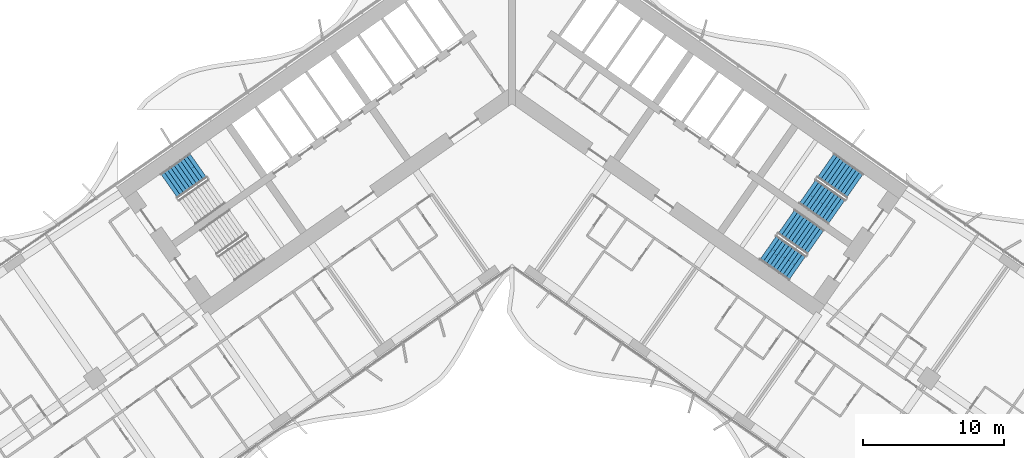
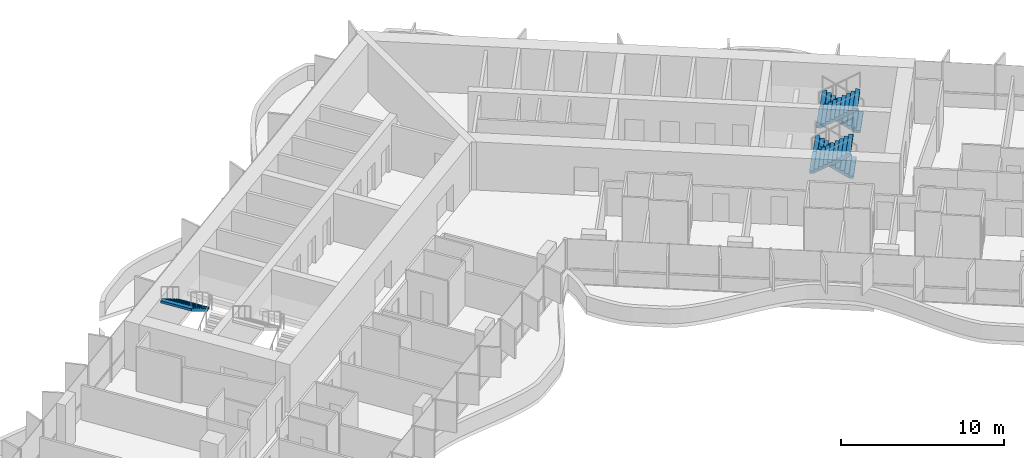
# One storey, part 19 of 25: 5 stair flights, 3 elements without a shape of their own.
"""IFC4 building model written with IfcOpenShell, lengths in metres."""

from ifc_helpers import new_model, si_unit, direction, frame, origin, place, context, subcontext, project, spatial, polyline, outline, extrude, material, type_object, element, aggregate, save


model = new_model("IFC4")

# Units and contexts
model_context = context("Model", 3, precision=1e-05, world=origin(), true_north=direction((0.0, 1.0)))
body_context = subcontext(model_context, "Body", "Model", "MODEL_VIEW")
ifc_project = project(units=[si_unit("LENGTHUNIT", "METRE"), si_unit("AREAUNIT", "SQUARE_METRE"), si_unit("VOLUMEUNIT", "CUBIC_METRE"), si_unit("PLANEANGLEUNIT", "RADIAN"), si_unit("MASSUNIT", "GRAM", prefix="KILO")], contexts=[model_context])

# Site, building, storey
site_placement = place(None, origin())
site = spatial("IfcSite", under=ifc_project, at=site_placement, CompositionType="ELEMENT")
building_placement = place(site_placement, origin())
building = spatial("IfcBuilding", under=site, at=building_placement, Name="Tel Ilan Convention Tower", CompositionType="ELEMENT")
storey_placement = place(building_placement, frame((0.0, 0.0, 58.10009765625)))
storey = spatial("IfcBuildingStorey", under=building, at=storey_placement, Name="L09", CompositionType="ELEMENT", Elevation=58.10009765625)

# Stair, stair flight
ifc_material_1 = material(Name="Concrete C40/50", Category="concrete")
stair_type = type_object("IfcStairType", Name="Pressurised Exit Stair 20 risers 180 mm", PredefinedType="HALF_TURN_STAIR", material=ifc_material_1)
stair_1_placement = place(storey_placement, origin())
stair_1 = element("IfcStair", 1, at=stair_1_placement, inside=storey, type_object=stair_type, Name="L09 Pressurised Stair S1", PredefinedType="HALF_TURN_STAIR")
ifc_material_2 = material(Name="Precast Concrete C40/50", Category="concrete")
stair_flight_type = type_object("IfcStairFlightType", Name="Concrete Stair Flight 2100 mm 20 risers 180 mm", PredefinedType="STRAIGHT", material=ifc_material_2)
stair_flight_1_placement = place(storey_placement, frame((-22.188232421875, -5.5869140625, 1.7998046875), z_axis=(0.0, 0.0, 1.0), x_axis=(-0.819152044289, -0.573576436351, 0.0)))
stair_flight_1 = element("IfcStairFlight", 2, at=stair_flight_1_placement, type_object=stair_flight_type, Name="S1 flight 2", NumberOfRisers=10, NumberOfTreads=9, PredefinedType="STRAIGHT", RiserHeight=0.18, TreadLength=0.28, context=body_context, shape_type="SweptSolid", body=[
    extrude(outline(polyline([(0.0, 0.0), (0.0, 0.179931640625), (0.280029296875, 0.179931640625), (0.280029296875, 0.360107421875), (0.56005859375, 0.360107421875), (0.56005859375, 0.5400390625), (0.840087890625, 0.5400390625), (0.840087890625, 0.719970703125), (1.1201171875, 0.719970703125), (1.1201171875, 0.89990234375), (1.39990234375, 0.89990234375), (1.39990234375, 1.080078125), (1.679931640625, 1.080078125), (1.679931640625, 1.260009765625), (1.9599609375, 1.260009765625), (1.9599609375, 1.43994140625), (2.239990234375, 1.43994140625), (2.239990234375, 1.6201171875), (2.52001953125, 1.6201171875), (2.52001953125, 1.800048828125), (2.52001953125, 1.44189453125), (0.277099609375, 0.0), (0.0, 0.0)])), frame((0.0, -0.100341796875, 0.0), z_axis=(0.0, -1.0, 0.0), x_axis=(1.0, 0.0, 0.0)), (0.0, 0.0, 1.0), 0.94970703125),
    extrude(outline(polyline([(0.0, 0.0), (0.0, 0.179931640625), (0.280029296875, 0.179931640625), (0.280029296875, 0.360107421875), (0.56005859375, 0.360107421875), (0.56005859375, 0.5400390625), (0.840087890625, 0.5400390625), (0.840087890625, 0.719970703125), (1.1201171875, 0.719970703125), (1.1201171875, 0.89990234375), (1.39990234375, 0.89990234375), (1.39990234375, 1.080078125), (1.679931640625, 1.080078125), (1.679931640625, 1.260009765625), (1.9599609375, 1.260009765625), (1.9599609375, 1.43994140625), (2.239990234375, 1.43994140625), (2.239990234375, 1.6201171875), (2.52001953125, 1.6201171875), (2.52001953125, 1.800048828125), (2.52001953125, 1.44189453125), (0.277099609375, 0.0), (0.0, 0.0)])), frame((0.0, -0.000244140625, 0.0), z_axis=(0.0, -1.0, 0.0), x_axis=(1.0, 0.0, 0.0)), (0.0, 0.0, 1.0), 0.099609375),
    extrude(outline(polyline([(0.0, 0.0), (0.0, 0.179931640625), (0.280029296875, 0.179931640625), (0.280029296875, 0.360107421875), (0.56005859375, 0.360107421875), (0.56005859375, 0.5400390625), (0.840087890625, 0.5400390625), (0.840087890625, 0.719970703125), (1.1201171875, 0.719970703125), (1.1201171875, 0.89990234375), (1.39990234375, 0.89990234375), (1.39990234375, 1.080078125), (1.679931640625, 1.080078125), (1.679931640625, 1.260009765625), (1.9599609375, 1.260009765625), (1.9599609375, 1.43994140625), (2.239990234375, 1.43994140625), (2.239990234375, 1.6201171875), (2.52001953125, 1.6201171875), (2.52001953125, 1.800048828125), (2.52001953125, 1.44189453125), (0.277099609375, 0.0), (0.0, 0.0)])), frame((0.0, 0.099853515625, 0.0), z_axis=(0.0, -1.0, 0.0), x_axis=(1.0, 0.0, 0.0)), (0.0, 0.0, 1.0), 0.099609375),
    extrude(outline(polyline([(0.0, 0.0), (0.0, 0.179931640625), (0.280029296875, 0.179931640625), (0.280029296875, 0.360107421875), (0.56005859375, 0.360107421875), (0.56005859375, 0.5400390625), (0.840087890625, 0.5400390625), (0.840087890625, 0.719970703125), (1.1201171875, 0.719970703125), (1.1201171875, 0.89990234375), (1.39990234375, 0.89990234375), (1.39990234375, 1.080078125), (1.679931640625, 1.080078125), (1.679931640625, 1.260009765625), (1.9599609375, 1.260009765625), (1.9599609375, 1.43994140625), (2.239990234375, 1.43994140625), (2.239990234375, 1.6201171875), (2.52001953125, 1.6201171875), (2.52001953125, 1.800048828125), (2.52001953125, 1.44189453125), (0.277099609375, 0.0), (0.0, 0.0)])), frame((0.0, 1.050048828125, 0.0), z_axis=(0.0, -1.0, 0.0), x_axis=(1.0, 0.0, 0.0)), (0.0, 0.0, 1.0), 0.94970703125),
])
aggregate(stair_1, [stair_flight_1])

# Stair, stair flights
stair_2_placement = place(storey_placement, origin())
stair_2 = element("IfcStair", 3, at=stair_2_placement, inside=storey, type_object=stair_type, Name="L09 Pressurised Stair S3", PredefinedType="HALF_TURN_STAIR")
stair_flight_2_placement = place(storey_placement, frame((24.25244140625, -7.032470703125, 0.0), z_axis=(0.0, 0.0, 1.0), x_axis=(-0.819152044289, 0.573576436351, 0.0)))
stair_flight_2 = element("IfcStairFlight", 4, at=stair_flight_2_placement, type_object=stair_flight_type, Name="S3 flight 1", NumberOfRisers=10, NumberOfTreads=9, PredefinedType="STRAIGHT", RiserHeight=0.18, TreadLength=0.28, context=body_context, shape_type="SweptSolid", body=[
    extrude(outline(polyline([(0.0, 0.0), (0.0, 0.179931640625), (0.280029296875, 0.179931640625), (0.280029296875, 0.360107421875), (0.56005859375, 0.360107421875), (0.56005859375, 0.5400390625), (0.840087890625, 0.5400390625), (0.840087890625, 0.719970703125), (1.1201171875, 0.719970703125), (1.1201171875, 0.89990234375), (1.39990234375, 0.89990234375), (1.39990234375, 1.080078125), (1.679931640625, 1.080078125), (1.679931640625, 1.260009765625), (1.9599609375, 1.260009765625), (1.9599609375, 1.43994140625), (2.239990234375, 1.43994140625), (2.239990234375, 1.6201171875), (2.52001953125, 1.6201171875), (2.52001953125, 1.800048828125), (2.52001953125, 1.44189453125), (0.277099609375, 0.0), (0.0, 0.0)])), frame((0.0, -0.100341796875, 0.0), z_axis=(0.0, -1.0, 0.0), x_axis=(1.0, 0.0, 0.0)), (0.0, 0.0, 1.0), 0.94970703125),
    extrude(outline(polyline([(0.0, 0.0), (0.0, 0.179931640625), (0.280029296875, 0.179931640625), (0.280029296875, 0.360107421875), (0.56005859375, 0.360107421875), (0.56005859375, 0.5400390625), (0.840087890625, 0.5400390625), (0.840087890625, 0.719970703125), (1.1201171875, 0.719970703125), (1.1201171875, 0.89990234375), (1.39990234375, 0.89990234375), (1.39990234375, 1.080078125), (1.679931640625, 1.080078125), (1.679931640625, 1.260009765625), (1.9599609375, 1.260009765625), (1.9599609375, 1.43994140625), (2.239990234375, 1.43994140625), (2.239990234375, 1.6201171875), (2.52001953125, 1.6201171875), (2.52001953125, 1.800048828125), (2.52001953125, 1.44189453125), (0.277099609375, 0.0), (0.0, 0.0)])), frame((0.0, -0.000244140625, 0.0), z_axis=(0.0, -1.0, 0.0), x_axis=(1.0, 0.0, 0.0)), (0.0, 0.0, 1.0), 0.099609375),
    extrude(outline(polyline([(0.0, 0.0), (0.0, 0.179931640625), (0.280029296875, 0.179931640625), (0.280029296875, 0.360107421875), (0.56005859375, 0.360107421875), (0.56005859375, 0.5400390625), (0.840087890625, 0.5400390625), (0.840087890625, 0.719970703125), (1.1201171875, 0.719970703125), (1.1201171875, 0.89990234375), (1.39990234375, 0.89990234375), (1.39990234375, 1.080078125), (1.679931640625, 1.080078125), (1.679931640625, 1.260009765625), (1.9599609375, 1.260009765625), (1.9599609375, 1.43994140625), (2.239990234375, 1.43994140625), (2.239990234375, 1.6201171875), (2.52001953125, 1.6201171875), (2.52001953125, 1.800048828125), (2.52001953125, 1.44189453125), (0.277099609375, 0.0), (0.0, 0.0)])), frame((0.0, 0.099853515625, 0.0), z_axis=(0.0, -1.0, 0.0), x_axis=(1.0, 0.0, 0.0)), (0.0, 0.0, 1.0), 0.099609375),
    extrude(outline(polyline([(0.0, 0.0), (0.0, 0.179931640625), (0.280029296875, 0.179931640625), (0.280029296875, 0.360107421875), (0.56005859375, 0.360107421875), (0.56005859375, 0.5400390625), (0.840087890625, 0.5400390625), (0.840087890625, 0.719970703125), (1.1201171875, 0.719970703125), (1.1201171875, 0.89990234375), (1.39990234375, 0.89990234375), (1.39990234375, 1.080078125), (1.679931640625, 1.080078125), (1.679931640625, 1.260009765625), (1.9599609375, 1.260009765625), (1.9599609375, 1.43994140625), (2.239990234375, 1.43994140625), (2.239990234375, 1.6201171875), (2.52001953125, 1.6201171875), (2.52001953125, 1.800048828125), (2.52001953125, 1.44189453125), (0.277099609375, 0.0), (0.0, 0.0)])), frame((0.0, 1.050048828125, 0.0), z_axis=(0.0, -1.0, 0.0), x_axis=(1.0, 0.0, 0.0)), (0.0, 0.0, 1.0), 0.94970703125),
])
stair_flight_3_placement = place(storey_placement, frame((20.8974609375, -7.43017578125, 1.7998046875), z_axis=(0.0, 0.0, 1.0), x_axis=(0.819152044289, -0.573576436351, 0.0)))
stair_flight_3 = element("IfcStairFlight", 5, at=stair_flight_3_placement, type_object=stair_flight_type, Name="S3 flight 2", NumberOfRisers=10, NumberOfTreads=9, PredefinedType="STRAIGHT", RiserHeight=0.18, TreadLength=0.28, context=body_context, shape_type="SweptSolid", body=[
    extrude(outline(polyline([(0.0, 0.0), (0.0, 0.179931640625), (0.280029296875, 0.179931640625), (0.280029296875, 0.360107421875), (0.56005859375, 0.360107421875), (0.56005859375, 0.5400390625), (0.840087890625, 0.5400390625), (0.840087890625, 0.719970703125), (1.1201171875, 0.719970703125), (1.1201171875, 0.89990234375), (1.39990234375, 0.89990234375), (1.39990234375, 1.080078125), (1.679931640625, 1.080078125), (1.679931640625, 1.260009765625), (1.9599609375, 1.260009765625), (1.9599609375, 1.43994140625), (2.239990234375, 1.43994140625), (2.239990234375, 1.6201171875), (2.52001953125, 1.6201171875), (2.52001953125, 1.800048828125), (2.52001953125, 1.44189453125), (0.277099609375, 0.0), (0.0, 0.0)])), frame((0.0, -0.100341796875, 0.0), z_axis=(0.0, -1.0, 0.0), x_axis=(1.0, 0.0, 0.0)), (0.0, 0.0, 1.0), 0.94970703125),
    extrude(outline(polyline([(0.0, 0.0), (0.0, 0.179931640625), (0.280029296875, 0.179931640625), (0.280029296875, 0.360107421875), (0.56005859375, 0.360107421875), (0.56005859375, 0.5400390625), (0.840087890625, 0.5400390625), (0.840087890625, 0.719970703125), (1.1201171875, 0.719970703125), (1.1201171875, 0.89990234375), (1.39990234375, 0.89990234375), (1.39990234375, 1.080078125), (1.679931640625, 1.080078125), (1.679931640625, 1.260009765625), (1.9599609375, 1.260009765625), (1.9599609375, 1.43994140625), (2.239990234375, 1.43994140625), (2.239990234375, 1.6201171875), (2.52001953125, 1.6201171875), (2.52001953125, 1.800048828125), (2.52001953125, 1.44189453125), (0.277099609375, 0.0), (0.0, 0.0)])), frame((0.0, -0.000244140625, 0.0), z_axis=(0.0, -1.0, 0.0), x_axis=(1.0, 0.0, 0.0)), (0.0, 0.0, 1.0), 0.099609375),
    extrude(outline(polyline([(0.0, 0.0), (0.0, 0.179931640625), (0.280029296875, 0.179931640625), (0.280029296875, 0.360107421875), (0.56005859375, 0.360107421875), (0.56005859375, 0.5400390625), (0.840087890625, 0.5400390625), (0.840087890625, 0.719970703125), (1.1201171875, 0.719970703125), (1.1201171875, 0.89990234375), (1.39990234375, 0.89990234375), (1.39990234375, 1.080078125), (1.679931640625, 1.080078125), (1.679931640625, 1.260009765625), (1.9599609375, 1.260009765625), (1.9599609375, 1.43994140625), (2.239990234375, 1.43994140625), (2.239990234375, 1.6201171875), (2.52001953125, 1.6201171875), (2.52001953125, 1.800048828125), (2.52001953125, 1.44189453125), (0.277099609375, 0.0), (0.0, 0.0)])), frame((0.0, 0.099853515625, 0.0), z_axis=(0.0, -1.0, 0.0), x_axis=(1.0, 0.0, 0.0)), (0.0, 0.0, 1.0), 0.099609375),
    extrude(outline(polyline([(0.0, 0.0), (0.0, 0.179931640625), (0.280029296875, 0.179931640625), (0.280029296875, 0.360107421875), (0.56005859375, 0.360107421875), (0.56005859375, 0.5400390625), (0.840087890625, 0.5400390625), (0.840087890625, 0.719970703125), (1.1201171875, 0.719970703125), (1.1201171875, 0.89990234375), (1.39990234375, 0.89990234375), (1.39990234375, 1.080078125), (1.679931640625, 1.080078125), (1.679931640625, 1.260009765625), (1.9599609375, 1.260009765625), (1.9599609375, 1.43994140625), (2.239990234375, 1.43994140625), (2.239990234375, 1.6201171875), (2.52001953125, 1.6201171875), (2.52001953125, 1.800048828125), (2.52001953125, 1.44189453125), (0.277099609375, 0.0), (0.0, 0.0)])), frame((0.0, 1.050048828125, 0.0), z_axis=(0.0, -1.0, 0.0), x_axis=(1.0, 0.0, 0.0)), (0.0, 0.0, 1.0), 0.94970703125),
])
aggregate(stair_2, [stair_flight_2, stair_flight_3])

stair_3_placement = place(storey_placement, origin())
stair_3 = element("IfcStair", 6, at=stair_3_placement, inside=storey, type_object=stair_type, Name="L09 Pressurised Stair S4", PredefinedType="HALF_TURN_STAIR")
stair_flight_4_placement = place(storey_placement, frame((21.470458984375, -11.00537109375, 0.0), z_axis=(0.0, 0.0, 1.0), x_axis=(-0.819152044289, 0.573576436351, 0.0)))
stair_flight_4 = element("IfcStairFlight", 7, at=stair_flight_4_placement, type_object=stair_flight_type, Name="S4 flight 1", NumberOfRisers=10, NumberOfTreads=9, PredefinedType="STRAIGHT", RiserHeight=0.18, TreadLength=0.28, context=body_context, shape_type="SweptSolid", body=[
    extrude(outline(polyline([(0.0, 0.0), (0.0, 0.179931640625), (0.280029296875, 0.179931640625), (0.280029296875, 0.360107421875), (0.56005859375, 0.360107421875), (0.56005859375, 0.5400390625), (0.840087890625, 0.5400390625), (0.840087890625, 0.719970703125), (1.1201171875, 0.719970703125), (1.1201171875, 0.89990234375), (1.39990234375, 0.89990234375), (1.39990234375, 1.080078125), (1.679931640625, 1.080078125), (1.679931640625, 1.260009765625), (1.9599609375, 1.260009765625), (1.9599609375, 1.43994140625), (2.239990234375, 1.43994140625), (2.239990234375, 1.6201171875), (2.52001953125, 1.6201171875), (2.52001953125, 1.800048828125), (2.52001953125, 1.44189453125), (0.277099609375, 0.0), (0.0, 0.0)])), frame((0.0, -0.100341796875, 0.0), z_axis=(0.0, -1.0, 0.0), x_axis=(1.0, 0.0, 0.0)), (0.0, 0.0, 1.0), 0.94970703125),
    extrude(outline(polyline([(0.0, 0.0), (0.0, 0.179931640625), (0.280029296875, 0.179931640625), (0.280029296875, 0.360107421875), (0.56005859375, 0.360107421875), (0.56005859375, 0.5400390625), (0.840087890625, 0.5400390625), (0.840087890625, 0.719970703125), (1.1201171875, 0.719970703125), (1.1201171875, 0.89990234375), (1.39990234375, 0.89990234375), (1.39990234375, 1.080078125), (1.679931640625, 1.080078125), (1.679931640625, 1.260009765625), (1.9599609375, 1.260009765625), (1.9599609375, 1.43994140625), (2.239990234375, 1.43994140625), (2.239990234375, 1.6201171875), (2.52001953125, 1.6201171875), (2.52001953125, 1.800048828125), (2.52001953125, 1.44189453125), (0.277099609375, 0.0), (0.0, 0.0)])), frame((0.0, -0.000244140625, 0.0), z_axis=(0.0, -1.0, 0.0), x_axis=(1.0, 0.0, 0.0)), (0.0, 0.0, 1.0), 0.099609375),
    extrude(outline(polyline([(0.0, 0.0), (0.0, 0.179931640625), (0.280029296875, 0.179931640625), (0.280029296875, 0.360107421875), (0.56005859375, 0.360107421875), (0.56005859375, 0.5400390625), (0.840087890625, 0.5400390625), (0.840087890625, 0.719970703125), (1.1201171875, 0.719970703125), (1.1201171875, 0.89990234375), (1.39990234375, 0.89990234375), (1.39990234375, 1.080078125), (1.679931640625, 1.080078125), (1.679931640625, 1.260009765625), (1.9599609375, 1.260009765625), (1.9599609375, 1.43994140625), (2.239990234375, 1.43994140625), (2.239990234375, 1.6201171875), (2.52001953125, 1.6201171875), (2.52001953125, 1.800048828125), (2.52001953125, 1.44189453125), (0.277099609375, 0.0), (0.0, 0.0)])), frame((0.0, 0.099853515625, 0.0), z_axis=(0.0, -1.0, 0.0), x_axis=(1.0, 0.0, 0.0)), (0.0, 0.0, 1.0), 0.099609375),
    extrude(outline(polyline([(0.0, 0.0), (0.0, 0.179931640625), (0.280029296875, 0.179931640625), (0.280029296875, 0.360107421875), (0.56005859375, 0.360107421875), (0.56005859375, 0.5400390625), (0.840087890625, 0.5400390625), (0.840087890625, 0.719970703125), (1.1201171875, 0.719970703125), (1.1201171875, 0.89990234375), (1.39990234375, 0.89990234375), (1.39990234375, 1.080078125), (1.679931640625, 1.080078125), (1.679931640625, 1.260009765625), (1.9599609375, 1.260009765625), (1.9599609375, 1.43994140625), (2.239990234375, 1.43994140625), (2.239990234375, 1.6201171875), (2.52001953125, 1.6201171875), (2.52001953125, 1.800048828125), (2.52001953125, 1.44189453125), (0.277099609375, 0.0), (0.0, 0.0)])), frame((0.0, 1.050048828125, 0.0), z_axis=(0.0, -1.0, 0.0), x_axis=(1.0, 0.0, 0.0)), (0.0, 0.0, 1.0), 0.94970703125),
])
stair_flight_5_placement = place(storey_placement, frame((18.11572265625, -11.403076171875, 1.7998046875), z_axis=(0.0, 0.0, 1.0), x_axis=(0.819152044289, -0.573576436351, 0.0)))
stair_flight_5 = element("IfcStairFlight", 8, at=stair_flight_5_placement, type_object=stair_flight_type, Name="S4 flight 2", NumberOfRisers=10, NumberOfTreads=9, PredefinedType="STRAIGHT", RiserHeight=0.18, TreadLength=0.28, context=body_context, shape_type="SweptSolid", body=[
    extrude(outline(polyline([(0.0, 0.0), (0.0, 0.179931640625), (0.280029296875, 0.179931640625), (0.280029296875, 0.360107421875), (0.56005859375, 0.360107421875), (0.56005859375, 0.5400390625), (0.840087890625, 0.5400390625), (0.840087890625, 0.719970703125), (1.1201171875, 0.719970703125), (1.1201171875, 0.89990234375), (1.39990234375, 0.89990234375), (1.39990234375, 1.080078125), (1.679931640625, 1.080078125), (1.679931640625, 1.260009765625), (1.9599609375, 1.260009765625), (1.9599609375, 1.43994140625), (2.239990234375, 1.43994140625), (2.239990234375, 1.6201171875), (2.52001953125, 1.6201171875), (2.52001953125, 1.800048828125), (2.52001953125, 1.44189453125), (0.277099609375, 0.0), (0.0, 0.0)])), frame((0.0, -0.100341796875, 0.0), z_axis=(0.0, -1.0, 0.0), x_axis=(1.0, 0.0, 0.0)), (0.0, 0.0, 1.0), 0.94970703125),
    extrude(outline(polyline([(0.0, 0.0), (0.0, 0.179931640625), (0.280029296875, 0.179931640625), (0.280029296875, 0.360107421875), (0.56005859375, 0.360107421875), (0.56005859375, 0.5400390625), (0.840087890625, 0.5400390625), (0.840087890625, 0.719970703125), (1.1201171875, 0.719970703125), (1.1201171875, 0.89990234375), (1.39990234375, 0.89990234375), (1.39990234375, 1.080078125), (1.679931640625, 1.080078125), (1.679931640625, 1.260009765625), (1.9599609375, 1.260009765625), (1.9599609375, 1.43994140625), (2.239990234375, 1.43994140625), (2.239990234375, 1.6201171875), (2.52001953125, 1.6201171875), (2.52001953125, 1.800048828125), (2.52001953125, 1.44189453125), (0.277099609375, 0.0), (0.0, 0.0)])), frame((0.0, -0.000244140625, 0.0), z_axis=(0.0, -1.0, 0.0), x_axis=(1.0, 0.0, 0.0)), (0.0, 0.0, 1.0), 0.099609375),
    extrude(outline(polyline([(0.0, 0.0), (0.0, 0.179931640625), (0.280029296875, 0.179931640625), (0.280029296875, 0.360107421875), (0.56005859375, 0.360107421875), (0.56005859375, 0.5400390625), (0.840087890625, 0.5400390625), (0.840087890625, 0.719970703125), (1.1201171875, 0.719970703125), (1.1201171875, 0.89990234375), (1.39990234375, 0.89990234375), (1.39990234375, 1.080078125), (1.679931640625, 1.080078125), (1.679931640625, 1.260009765625), (1.9599609375, 1.260009765625), (1.9599609375, 1.43994140625), (2.239990234375, 1.43994140625), (2.239990234375, 1.6201171875), (2.52001953125, 1.6201171875), (2.52001953125, 1.800048828125), (2.52001953125, 1.44189453125), (0.277099609375, 0.0), (0.0, 0.0)])), frame((0.0, 0.099853515625, 0.0), z_axis=(0.0, -1.0, 0.0), x_axis=(1.0, 0.0, 0.0)), (0.0, 0.0, 1.0), 0.099609375),
    extrude(outline(polyline([(0.0, 0.0), (0.0, 0.179931640625), (0.280029296875, 0.179931640625), (0.280029296875, 0.360107421875), (0.56005859375, 0.360107421875), (0.56005859375, 0.5400390625), (0.840087890625, 0.5400390625), (0.840087890625, 0.719970703125), (1.1201171875, 0.719970703125), (1.1201171875, 0.89990234375), (1.39990234375, 0.89990234375), (1.39990234375, 1.080078125), (1.679931640625, 1.080078125), (1.679931640625, 1.260009765625), (1.9599609375, 1.260009765625), (1.9599609375, 1.43994140625), (2.239990234375, 1.43994140625), (2.239990234375, 1.6201171875), (2.52001953125, 1.6201171875), (2.52001953125, 1.800048828125), (2.52001953125, 1.44189453125), (0.277099609375, 0.0), (0.0, 0.0)])), frame((0.0, 1.050048828125, 0.0), z_axis=(0.0, -1.0, 0.0), x_axis=(1.0, 0.0, 0.0)), (0.0, 0.0, 1.0), 0.94970703125),
])
aggregate(stair_3, [stair_flight_4, stair_flight_5])

save(model, "model.ifc")
